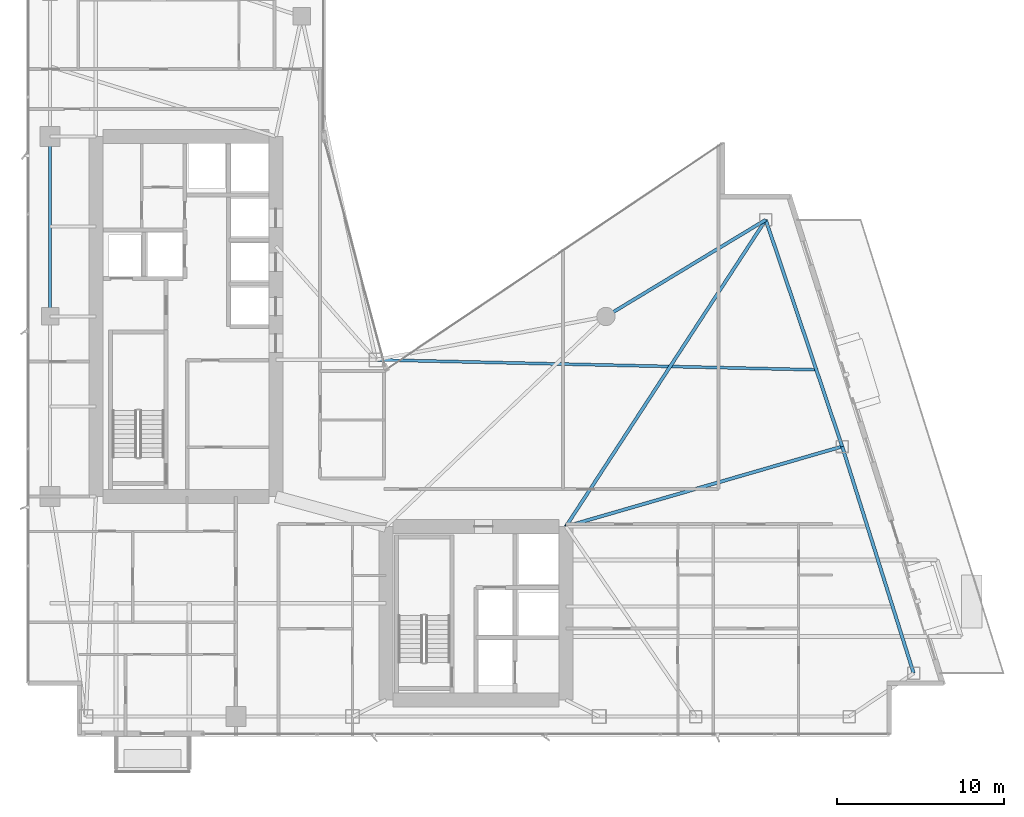
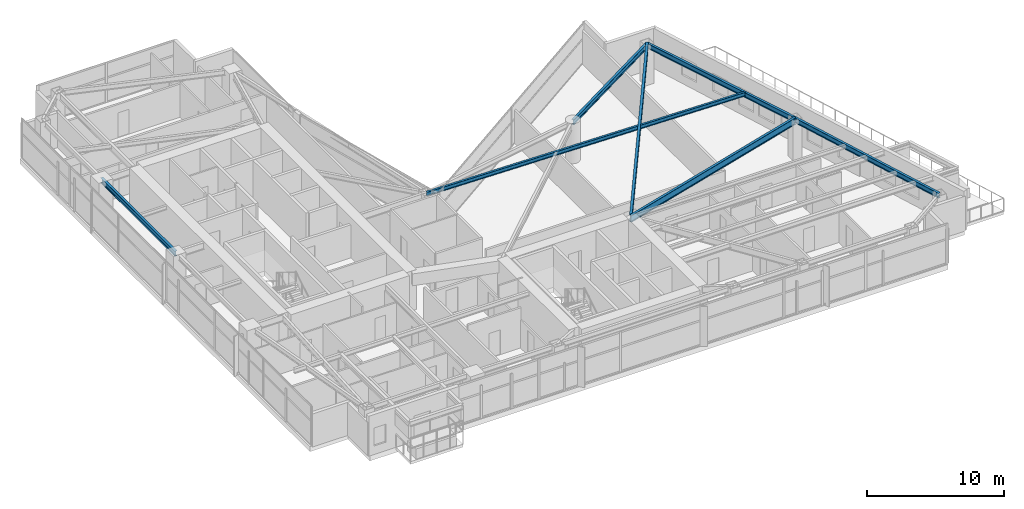
# One storey, part 16 of 30: 7 beams.
"""IFC4 building model written with IfcOpenShell, lengths in metres."""

from ifc_helpers import new_model, si_unit, direction, frame, origin, origin_2d, place, context, subcontext, project, spatial, i_section, extrude, material, material_profile, profile_set, type_object, element, save


model = new_model("IFC4")

# Units and contexts
model_context = context("Model", 3, precision=1e-05, world=origin(), true_north=direction((0.0, 1.0)))
body_context = subcontext(model_context, "Body", "Model", "MODEL_VIEW")
ifc_project = project(units=[si_unit("LENGTHUNIT", "METRE"), si_unit("AREAUNIT", "SQUARE_METRE"), si_unit("VOLUMEUNIT", "CUBIC_METRE"), si_unit("PLANEANGLEUNIT", "RADIAN"), si_unit("MASSUNIT", "GRAM", prefix="KILO")], contexts=[model_context])

# Site, building, storey
site_placement = place(None, origin())
site = spatial("IfcSite", under=ifc_project, at=site_placement, CompositionType="ELEMENT")
building_placement = place(site_placement, origin())
building = spatial("IfcBuilding", under=site, at=building_placement, Name="Calvorn Quay Hotel", CompositionType="ELEMENT")
storey_placement = place(building_placement, frame((0.0, 0.0, 191.300048828125)))
storey = spatial("IfcBuildingStorey", under=building, at=storey_placement, Name="L47", CompositionType="ELEMENT", Elevation=191.300048828125)

# Beams
ifc_material_1 = material(Name="Steel Q355B", Category="steel")
ifc_material_profile_1 = material_profile(ifc_material_1, i_section(OverallWidth=0.199951171875, OverallDepth=0.60009765625, WebThickness=0.010986328125, FlangeThickness=0.01708984375, FilletRadius=0.01806640625, at=origin_2d()), Name="HN600x200x11x17")
ifc_profile_set_1 = profile_set([ifc_material_profile_1], Name="Steel Q355B")
beam_type_1 = type_object("IfcBeamType", Name="BM-GIRD-TYP", PredefinedType="BEAM", material=ifc_profile_set_1)
beam_1_placement = place(storey_placement, frame((32.39990234375, 15.0, 3.239990234375), z_axis=(0.960538207657, 0.278148075008, 0.0), x_axis=(-0.278148075008, 0.960538207657, 0.0)))
element("IfcBeam", 1, at=beam_1_placement, inside=storey, type_object=beam_type_1, Name="Beam BG-L47-E2", PredefinedType="BEAM", context=body_context, shape_type="SweptSolid", body=[
    extrude(i_section(OverallWidth=0.199951171875, OverallDepth=0.60009765625, WebThickness=0.010986328125, FlangeThickness=0.01708984375, FilletRadius=0.01806640625, at=origin_2d()), origin(), (0.0, 0.0, 1.0), 17.257080078125),
])
beam_2_placement = place(storey_placement, frame((32.39990234375, 15.0, 3.239990234375), z_axis=(0.545989016765, 0.837792333202, 0.0), x_axis=(-0.837792333202, 0.545989016765, 0.0)))
element("IfcBeam", 2, at=beam_2_placement, inside=storey, type_object=beam_type_1, Name="Beam BG-L47-E3", PredefinedType="BEAM", context=body_context, shape_type="SweptSolid", body=[
    extrude(i_section(OverallWidth=0.199951171875, OverallDepth=0.60009765625, WebThickness=0.010986328125, FlangeThickness=0.01708984375, FilletRadius=0.01806640625, at=origin_2d()), origin(), (0.0, 0.0, 1.0), 21.96240234375),
])
ifc_material_2 = material(Name="Steel Q355B", Category="steel")
ifc_material_profile_2 = material_profile(ifc_material_2, i_section(OverallWidth=0.175048828125, OverallDepth=0.35009765625, WebThickness=0.007080078125, FlangeThickness=0.010986328125, FilletRadius=0.013916015625, at=origin_2d()), Name="HN350x175x7x11")
ifc_profile_set_2 = profile_set([ifc_material_profile_2], Name="Steel Q355B")
beam_type_2 = type_object("IfcBeamType", Name="BM-JOIST-SEC", PredefinedType="JOIST", material=ifc_profile_set_2)
beam_3_placement = place(storey_placement, frame((21.0, 25.0, 3.364990234375), z_axis=(0.999744219355, -0.022616274365, 0.0), x_axis=(0.022616274365, 0.999744219355, 0.0)))
element("IfcBeam", 3, at=beam_3_placement, inside=storey, type_object=beam_type_2, Name="Beam BJ-L47-E3", PredefinedType="JOIST", context=body_context, shape_type="SweptSolid", body=[
    extrude(i_section(OverallWidth=0.175048828125, OverallDepth=0.35009765625, WebThickness=0.007080078125, FlangeThickness=0.010986328125, FilletRadius=0.013916015625, at=origin_2d()), origin(), (0.0, 0.0, 1.0), 26.533935546875),
])
ifc_material_3 = material(Name="Steel Q355B", Category="steel")
ifc_material_profile_3 = material_profile(ifc_material_3, i_section(OverallWidth=0.199951171875, OverallDepth=0.449951171875, WebThickness=0.009033203125, FlangeThickness=0.013916015625, FilletRadius=0.01611328125, at=origin_2d()), Name="HN450x200x9x14")
ifc_profile_set_3 = profile_set([ifc_material_profile_3], Name="Steel Q355B")
beam_type_3 = type_object("IfcBeamType", Name="BM-SPANDREL-Z3", PredefinedType="SPANDREL", material=ifc_profile_set_3)
beam_4_placement = place(storey_placement, frame((1.449951171875, 27.60009765625, 3.31494140625), z_axis=(0.0, 1.0, 0.0), x_axis=(-1.0, 0.0, 0.0)))
element("IfcBeam", 4, at=beam_4_placement, inside=storey, type_object=beam_type_3, Name="Beam BSP-L47-W3", PredefinedType="SPANDREL", context=body_context, shape_type="SweptSolid", body=[
    extrude(i_section(OverallWidth=0.199951171875, OverallDepth=0.449951171875, WebThickness=0.009033203125, FlangeThickness=0.013916015625, FilletRadius=0.01611328125, at=origin_2d()), origin(), (0.0, 0.0, 1.0), 10.7998046875),
])
beam_5_placement = place(storey_placement, frame((53.260986328125, 6.199951171875, 3.31494140625), z_axis=(-0.300502802767, 0.953780931624, 0.0), x_axis=(-0.953780931624, -0.300502802767, 0.0)))
element("IfcBeam", 5, at=beam_5_placement, inside=storey, type_object=beam_type_3, Name="Beam BSP-L47-E1", PredefinedType="SPANDREL", context=body_context, shape_type="SweptSolid", body=[
    extrude(i_section(OverallWidth=0.199951171875, OverallDepth=0.449951171875, WebThickness=0.009033203125, FlangeThickness=0.013916015625, FilletRadius=0.01611328125, at=origin_2d()), origin(), (0.0, 0.0, 1.0), 14.259033203125),
])
beam_6_placement = place(storey_placement, frame((48.97607421875, 19.800048828125, 3.31494140625), z_axis=(-0.319466515944, 0.947597564998, 0.0), x_axis=(-0.947597564998, -0.319466515944, 0.0)))
element("IfcBeam", 6, at=beam_6_placement, inside=storey, type_object=beam_type_3, Name="Beam BSP-L47-E2", PredefinedType="SPANDREL", context=body_context, shape_type="SweptSolid", body=[
    extrude(i_section(OverallWidth=0.199951171875, OverallDepth=0.449951171875, WebThickness=0.009033203125, FlangeThickness=0.013916015625, FilletRadius=0.01611328125, at=origin_2d()), origin(), (0.0, 0.0, 1.0), 14.35205078125),
])
beam_7_placement = place(storey_placement, frame((44.39111328125, 33.39990234375, 3.31494140625), z_axis=(-0.855710002292, -0.517455690835, 0.0), x_axis=(0.517455690835, -0.855710002292, 0.0)))
element("IfcBeam", 7, at=beam_7_placement, inside=storey, type_object=beam_type_3, Name="Beam BSP-L47-E3", PredefinedType="SPANDREL", context=body_context, shape_type="SweptSolid", body=[
    extrude(i_section(OverallWidth=0.199951171875, OverallDepth=0.449951171875, WebThickness=0.009033203125, FlangeThickness=0.013916015625, FilletRadius=0.01611328125, at=origin_2d()), origin(), (0.0, 0.0, 1.0), 11.208251953125),
])

save(model, "model.ifc")
